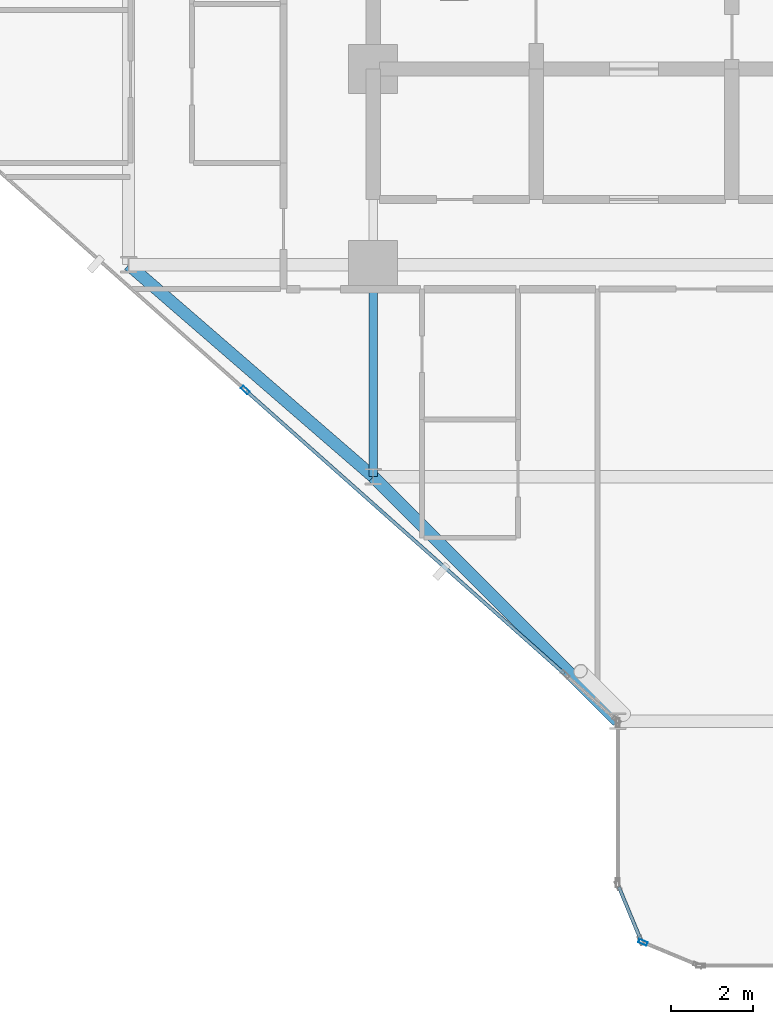
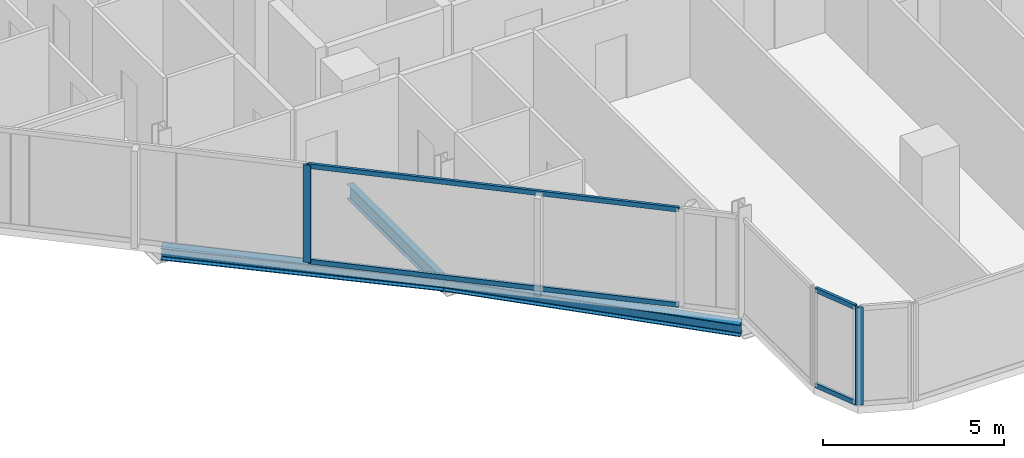
# One storey, part 3 of 34: 6 members, 3 beams, 3 elements without a shape of their own.
"""IFC4 building model written with IfcOpenShell, lengths in metres."""

from ifc_helpers import new_model, si_unit, direction, frame, origin, origin_2d, place, context, subcontext, project, spatial, hollow_rectangle, i_section, extrude, material, layer, layer_set, material_profile, profile_set, type_object, element, aggregate, save


model = new_model("IFC4")

# Units and contexts
model_context = context("Model", 3, precision=1e-05, world=origin(), true_north=direction((0.0, 1.0)))
body_context = subcontext(model_context, "Body", "Model", "MODEL_VIEW")
ifc_project = project(units=[si_unit("LENGTHUNIT", "METRE"), si_unit("AREAUNIT", "SQUARE_METRE"), si_unit("VOLUMEUNIT", "CUBIC_METRE"), si_unit("PLANEANGLEUNIT", "RADIAN"), si_unit("MASSUNIT", "GRAM", prefix="KILO")], contexts=[model_context])

# Site, building, storey
site_placement = place(None, origin())
site = spatial("IfcSite", under=ifc_project, at=site_placement, CompositionType="ELEMENT")
building_placement = place(site_placement, origin())
building = spatial("IfcBuilding", under=site, at=building_placement, Name="Keshet Zoharim Tower", CompositionType="ELEMENT")
storey_placement = place(building_placement, frame((0.0, 0.0, 77.5)))
storey = spatial("IfcBuildingStorey", under=building, at=storey_placement, Name="L18", CompositionType="ELEMENT", Elevation=77.5)

# Beams
ifc_material_1 = material(Name="Steel S355", Category="steel")
ifc_material_profile_1 = material_profile(ifc_material_1, i_section(OverallWidth=0.199951171875, OverallDepth=0.5, WebThickness=0.01025390625, FlangeThickness=0.01611328125, FilletRadius=0.02099609375, at=origin_2d()), Name="IPE500")
ifc_profile_set_1 = profile_set([ifc_material_profile_1], Name="Steel S355")
beam_type_1 = type_object("IfcBeamType", Name="BM-PRI-IP500", PredefinedType="BEAM", material=ifc_profile_set_1)
beam_1_placement = place(storey_placement, frame((15.0, 12.699951171875, -0.56494140625), z_axis=(0.0, 1.0, 0.0), x_axis=(-1.0, 0.0, 0.0)))
element("IfcBeam", 1, at=beam_1_placement, inside=storey, type_object=beam_type_1, Name="L18 Primary Girder Y-002", PredefinedType="BEAM", context=body_context, shape_type="SweptSolid", body=[
    extrude(i_section(OverallWidth=0.199951171875, OverallDepth=0.5, WebThickness=0.01025390625, FlangeThickness=0.01611328125, FilletRadius=0.02099609375, at=origin_2d()), origin(), (0.0, 0.0, 1.0), 5.199951171875),
])
ifc_material_profile_2 = material_profile(ifc_material_1, i_section(OverallWidth=0.300048828125, OverallDepth=0.39990234375, WebThickness=0.013427734375, FlangeThickness=0.02392578125, FilletRadius=0.027099609375, at=origin_2d()), Name="HEB400")
ifc_profile_set_2 = profile_set([ifc_material_profile_2], Name="Steel S355")
beam_type_2 = type_object("IfcBeamType", Name="BM-SPN-HB400", PredefinedType="SPANDREL", material=ifc_profile_set_2)
beam_2_placement = place(storey_placement, frame((21.0, 6.699951171875, -0.514892578125), z_axis=(-0.707106781187, 0.707106781187, 0.0), x_axis=(-0.707106781187, -0.707106781187, 0.0)))
element("IfcBeam", 2, at=beam_2_placement, inside=storey, type_object=beam_type_2, Name="L18 Perimeter Spandrel Beam 01", PredefinedType="SPANDREL", context=body_context, shape_type="SweptSolid", body=[
    extrude(i_section(OverallWidth=0.300048828125, OverallDepth=0.39990234375, WebThickness=0.013427734375, FlangeThickness=0.02392578125, FilletRadius=0.027099609375, at=origin_2d()), origin(), (0.0, 0.0, 1.0), 8.4853515625),
])
beam_3_placement = place(storey_placement, frame((9.0, 17.89990234375, -0.514892578125), z_axis=(0.755692126483, -0.654927026447, 0.0), x_axis=(0.654927026447, 0.755692126483, 0.0)))
element("IfcBeam", 3, at=beam_3_placement, inside=storey, type_object=beam_type_2, Name="L18 Perimeter Spandrel Beam 02", PredefinedType="SPANDREL", context=body_context, shape_type="SweptSolid", body=[
    extrude(i_section(OverallWidth=0.300048828125, OverallDepth=0.39990234375, WebThickness=0.013427734375, FlangeThickness=0.02392578125, FilletRadius=0.027099609375, at=origin_2d()), origin(), (0.0, 0.0, 1.0), 7.939697265625),
])

# Curtain wall, member
ifc_material_2 = material(Name="Aluminium 6063-T6", Category="aluminium")
ifc_layer = layer(ifc_material_2, 0.179931640625)
ifc_layer_set = layer_set([ifc_layer], Name="Aluminium 6063-T6")
curtain_wall_type = type_object("IfcCurtainWallType", Name="CW-SYS-01", PredefinedType="NOTDEFINED", material=ifc_layer_set)
curtain_wall_1_placement = place(storey_placement, origin())
curtain_wall_1 = element("IfcCurtainWall", 4, at=curtain_wall_1_placement, inside=storey, type_object=curtain_wall_type, Name="L18 Unitised Curtain Wall 01 Part 2", PredefinedType="NOTDEFINED")
ifc_material_profile_3 = material_profile(ifc_material_2, hollow_rectangle(XDim=0.090087890625, YDim=0.219970703125, WallThickness=0.0048828125, at=origin_2d()), Name="MUL-90x220")
ifc_profile_set_3 = profile_set([ifc_material_profile_3], Name="Aluminium 6063-T6")
member_type_1 = type_object("IfcMemberType", Name="CWM-M22", PredefinedType="MULLION", material=ifc_profile_set_3)
member_1_placement = place(storey_placement, frame((11.860107421875, 14.824462890625, 0.0), z_axis=(0.0, 0.0, 1.0), x_axis=(-0.664363542406, -0.747409582171, 0.0)))
member_1 = element("IfcMember", 5, at=member_1_placement, type_object=member_type_1, Name="CW-01 mullion 2", PredefinedType="MULLION", context=body_context, shape_type="SweptSolid", body=[
    extrude(hollow_rectangle(XDim=0.090087890625, YDim=0.219970703125, WallThickness=0.0048828125, at=origin_2d()), origin(), (0.0, 0.0, 1.0), 3.280029296875),
])

curtain_wall_2_placement = place(storey_placement, origin())
curtain_wall_2 = element("IfcCurtainWall", 6, at=curtain_wall_2_placement, inside=storey, type_object=curtain_wall_type, Name="L18 Unitised Curtain Wall 27", PredefinedType="NOTDEFINED")
member_2_placement = place(storey_placement, frame((21.618408203125, 1.272705078125, 0.0), z_axis=(0.0, 0.0, 1.0), x_axis=(-0.382851849847, -0.92380975372, 0.0)))
member_2 = element("IfcMember", 7, at=member_2_placement, type_object=member_type_1, Name="CW-01 mullion 2", PredefinedType="MULLION", context=body_context, shape_type="SweptSolid", body=[
    extrude(hollow_rectangle(XDim=0.090087890625, YDim=0.219970703125, WallThickness=0.0048828125, at=origin_2d()), origin(), (0.0, 0.0, 1.0), 3.280029296875),
])
aggregate(curtain_wall_2, [member_2])

# Member
ifc_material_profile_4 = material_profile(ifc_material_2, hollow_rectangle(XDim=0.0849609375, YDim=0.159912109375, WallThickness=0.00439453125, at=origin_2d()), Name="TRN-85x160")
ifc_profile_set_4 = profile_set([ifc_material_profile_4], Name="Aluminium 6063-T6")
member_type_2 = type_object("IfcMemberType", Name="CWT-T16", PredefinedType="USERDEFINED", material=ifc_profile_set_4)
member_3_placement = place(storey_placement, frame((19.68505859375, 7.868896484375, 0.034912109375), z_axis=(-0.747405446004, 0.664368195569, 0.0), x_axis=(-0.664368195569, -0.747405446004, 0.0)))
member_3 = element("IfcMember", 8, at=member_3_placement, type_object=member_type_2, Name="CW-01 transom 1.1", ObjectType="TRANSOM", PredefinedType="USERDEFINED", context=body_context, shape_type="SweptSolid", body=[
    extrude(hollow_rectangle(XDim=0.0849609375, YDim=0.159912109375, WallThickness=0.00439453125, at=origin_2d()), origin(), (0.0, 0.0, 1.0), 10.4345703125),
])

member_4_placement = place(storey_placement, frame((19.68505859375, 7.868896484375, 3.2451171875), z_axis=(-0.747405446004, 0.664368195569, 0.0), x_axis=(-0.664368195569, -0.747405446004, 0.0)))
member_4 = element("IfcMember", 9, at=member_4_placement, type_object=member_type_2, Name="CW-01 transom 1.2", ObjectType="TRANSOM", PredefinedType="USERDEFINED", context=body_context, shape_type="SweptSolid", body=[
    extrude(hollow_rectangle(XDim=0.0849609375, YDim=0.159912109375, WallThickness=0.00439453125, at=origin_2d()), origin(), (0.0, 0.0, 1.0), 10.4345703125),
])

aggregate(curtain_wall_1, [member_1, member_3, member_4])

# Curtain wall, members
curtain_wall_3_placement = place(storey_placement, origin())
curtain_wall_3 = element("IfcCurtainWall", 10, at=curtain_wall_3_placement, inside=storey, type_object=curtain_wall_type, Name="L18 Unitised Curtain Wall 28", PredefinedType="NOTDEFINED")
member_5_placement = place(storey_placement, frame((21.55908203125, 1.3505859375, 0.034912109375), z_axis=(-0.382744609247, 0.923854189844, 0.0), x_axis=(-0.923854189844, -0.382744609247, 0.0)))
member_5 = element("IfcMember", 11, at=member_5_placement, type_object=member_type_2, Name="CW-01 transom 1.1", ObjectType="TRANSOM", PredefinedType="USERDEFINED", context=body_context, shape_type="SweptSolid", body=[
    extrude(hollow_rectangle(XDim=0.0849609375, YDim=0.159912109375, WallThickness=0.00439453125, at=origin_2d()), origin(), (0.0, 0.0, 1.0), 1.390625),
])
member_6_placement = place(storey_placement, frame((21.55908203125, 1.3505859375, 3.2451171875), z_axis=(-0.382744609247, 0.923854189844, 0.0), x_axis=(-0.923854189844, -0.382744609247, 0.0)))
member_6 = element("IfcMember", 12, at=member_6_placement, type_object=member_type_2, Name="CW-01 transom 1.2", ObjectType="TRANSOM", PredefinedType="USERDEFINED", context=body_context, shape_type="SweptSolid", body=[
    extrude(hollow_rectangle(XDim=0.0849609375, YDim=0.159912109375, WallThickness=0.00439453125, at=origin_2d()), origin(), (0.0, 0.0, 1.0), 1.390625),
])
aggregate(curtain_wall_3, [member_5, member_6])

save(model, "model.ifc")
